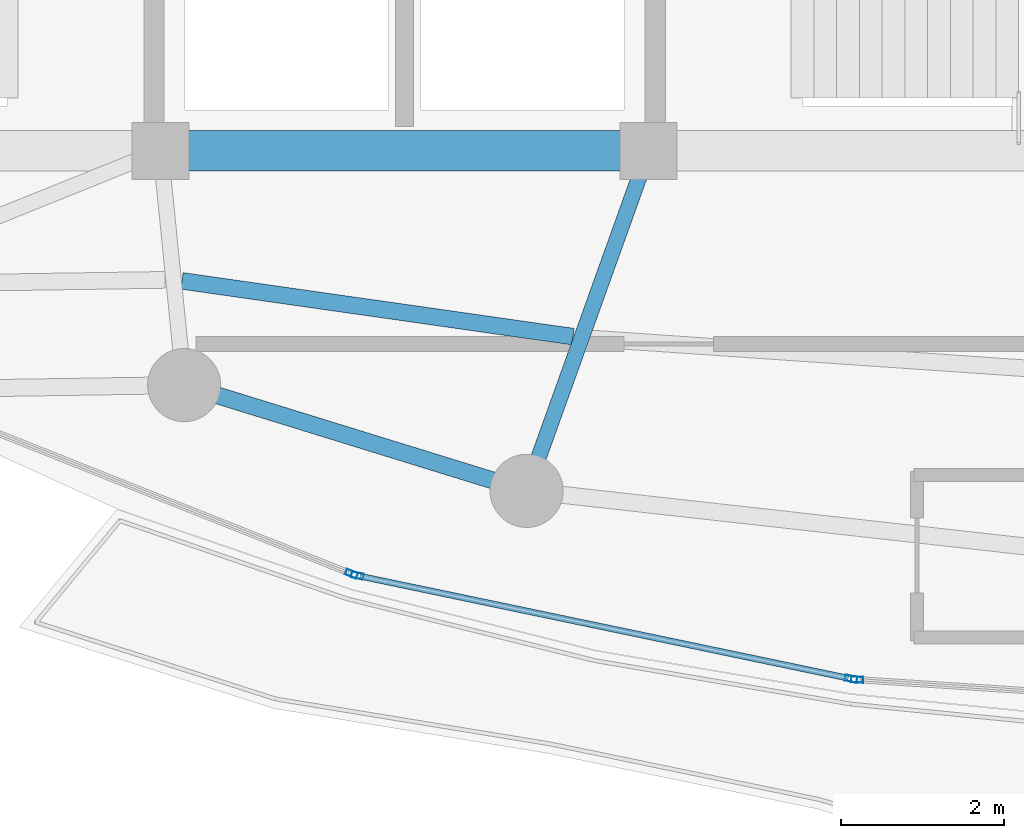
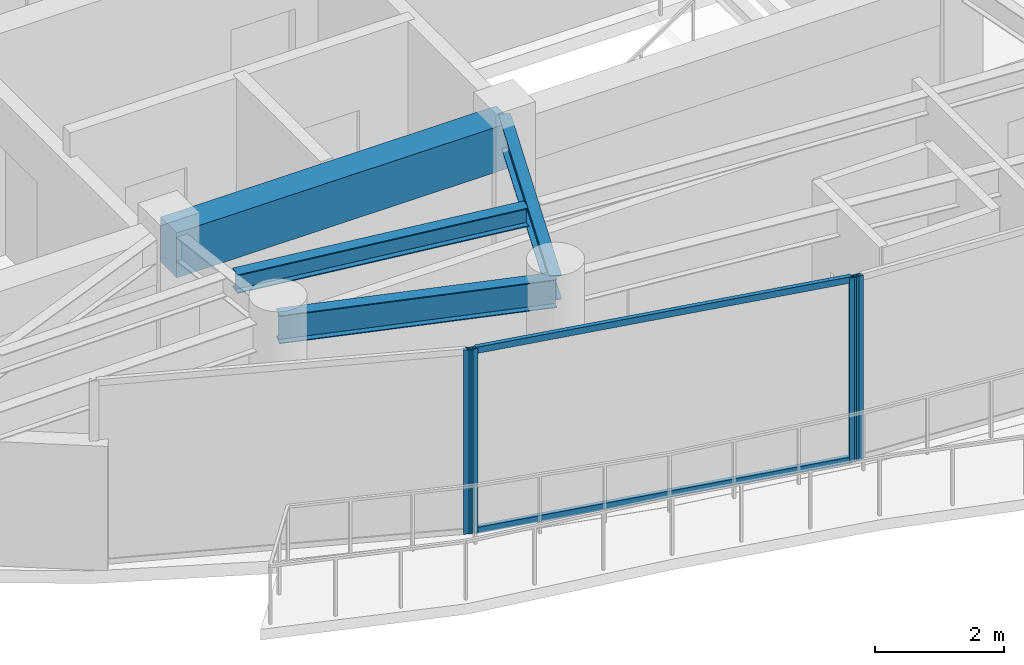
# One storey, part 4 of 22: 6 members, 4 beams, 3 elements without a shape of their own.
"""IFC4 building model written with IfcOpenShell, lengths in metres."""

from ifc_helpers import new_model, si_unit, direction, frame, origin, origin_2d, place, context, subcontext, project, spatial, rectangle, hollow_rectangle, i_section, extrude, material, layer, layer_set, material_profile, profile_set, type_object, element, aggregate, save


model = new_model("IFC4")

# Units and contexts
model_context = context("Model", 3, precision=1e-05, world=origin(), true_north=direction((0.0, 1.0)))
body_context = subcontext(model_context, "Body", "Model", "MODEL_VIEW")
ifc_project = project(units=[si_unit("LENGTHUNIT", "METRE"), si_unit("AREAUNIT", "SQUARE_METRE"), si_unit("VOLUMEUNIT", "CUBIC_METRE"), si_unit("PLANEANGLEUNIT", "RADIAN"), si_unit("MASSUNIT", "GRAM", prefix="KILO")], contexts=[model_context])

# Site, building, storey
site_placement = place(None, origin())
site = spatial("IfcSite", under=ifc_project, at=site_placement, CompositionType="ELEMENT")
building_placement = place(site_placement, origin())
building = spatial("IfcBuilding", under=site, at=building_placement, Name="Kazevale Care Tower and Concert Hall", CompositionType="ELEMENT")
storey_placement = place(building_placement, frame((0.0, 0.0, 277.60009765625)))
storey = spatial("IfcBuildingStorey", under=building, at=storey_placement, Name="L73", CompositionType="ELEMENT", Elevation=277.60009765625)

# Curtain wall, member
ifc_material_1 = material(Name="Aluminium 6063-T6 and Low-E Glass", Category="aluminium")
ifc_layer = layer(ifc_material_1, 0.179931640625)
ifc_layer_set = layer_set([ifc_layer], Name="Aluminium 6063-T6 and Low-E Glass")
curtain_wall_type = type_object("IfcCurtainWallType", Name="Sheltered Concave Balcony Curtain Wall CW-5", PredefinedType="NOTDEFINED", material=ifc_layer_set)
curtain_wall_1_placement = place(storey_placement, origin())
curtain_wall_1 = element("IfcCurtainWall", 1, at=curtain_wall_1_placement, inside=storey, type_object=curtain_wall_type, Name="cw:L73:f02", PredefinedType="NOTDEFINED")
ifc_material_2 = material(Name="Aluminium 6063-T6", Category="aluminium")
ifc_material_profile_1 = material_profile(ifc_material_2, hollow_rectangle(XDim=0.074951171875, YDim=0.14990234375, WallThickness=0.00390625, at=origin_2d()), Name="ALU75x150x4")
ifc_profile_set_1 = profile_set([ifc_material_profile_1], Name="Aluminium 6063-T6")
member_type_1 = type_object("IfcMemberType", Name="CW-5 Mullion ALU75x150x4", PredefinedType="MULLION", material=ifc_profile_set_1)
member_1_placement = place(storey_placement, frame((38.5634765625, 17.099609375, 0.0), z_axis=(0.0, 0.0, 1.0), x_axis=(-0.065045771206, -0.997882281458, 0.0)))
member_1 = element("IfcMember", 2, at=member_1_placement, type_object=member_type_1, Name="CW-5 mullion 2", PredefinedType="MULLION", context=body_context, shape_type="SweptSolid", body=[
    extrude(hollow_rectangle(XDim=0.074951171875, YDim=0.14990234375, WallThickness=0.00390625, at=origin_2d()), origin(), (0.0, 0.0, 1.0), 3.47998046875),
])
aggregate(curtain_wall_1, [member_1])

# Curtain wall, members
curtain_wall_2_placement = place(storey_placement, origin())
curtain_wall_2 = element("IfcCurtainWall", 3, at=curtain_wall_2_placement, inside=storey, type_object=curtain_wall_type, Name="cw:L73:f03", PredefinedType="NOTDEFINED")
member_2_placement = place(storey_placement, frame((38.4892578125, 17.109619140625, 0.0), z_axis=(0.0, 0.0, 1.0), x_axis=(-0.204564979592, -0.978852986472, 0.0)))
member_2 = element("IfcMember", 4, at=member_2_placement, type_object=member_type_1, Name="CW-5 mullion 1", PredefinedType="MULLION", context=body_context, shape_type="SweptSolid", body=[
    extrude(hollow_rectangle(XDim=0.074951171875, YDim=0.14990234375, WallThickness=0.00390625, at=origin_2d()), origin(), (0.0, 0.0, 1.0), 3.47998046875),
])
member_3_placement = place(storey_placement, frame((32.418701171875, 18.37841796875, 0.0), z_axis=(0.0, 0.0, 1.0), x_axis=(-0.204564979592, -0.978852986472, 0.0)))
member_3 = element("IfcMember", 5, at=member_3_placement, type_object=member_type_1, Name="CW-5 mullion 2", PredefinedType="MULLION", context=body_context, shape_type="SweptSolid", body=[
    extrude(hollow_rectangle(XDim=0.074951171875, YDim=0.14990234375, WallThickness=0.00390625, at=origin_2d()), origin(), (0.0, 0.0, 1.0), 3.47998046875),
])

# Curtain wall, member
curtain_wall_3_placement = place(storey_placement, origin())
curtain_wall_3 = element("IfcCurtainWall", 6, at=curtain_wall_3_placement, inside=storey, type_object=curtain_wall_type, Name="cw:L73:f04", PredefinedType="NOTDEFINED")
member_4_placement = place(storey_placement, frame((32.34716796875, 18.39990234375, 0.0), z_axis=(0.0, 0.0, 1.0), x_axis=(-0.369556171894, -0.929208392028, 0.0)))
member_4 = element("IfcMember", 7, at=member_4_placement, type_object=member_type_1, Name="CW-5 mullion 1", PredefinedType="MULLION", context=body_context, shape_type="SweptSolid", body=[
    extrude(hollow_rectangle(XDim=0.074951171875, YDim=0.14990234375, WallThickness=0.00390625, at=origin_2d()), origin(), (0.0, 0.0, 1.0), 3.47998046875),
])
aggregate(curtain_wall_3, [member_4])

# Member
ifc_material_profile_2 = material_profile(ifc_material_2, hollow_rectangle(XDim=0.074951171875, YDim=0.1201171875, WallThickness=0.00390625, at=origin_2d()), Name="ALU75x120x4")
ifc_profile_set_2 = profile_set([ifc_material_profile_2], Name="Aluminium 6063-T6")
member_type_2 = type_object("IfcMemberType", Name="CW-5 Transom ALU75x120x4", PredefinedType="USERDEFINED", material=ifc_profile_set_2)
member_5_placement = place(storey_placement, frame((38.45263671875, 17.117431640625, 0.037353515625), z_axis=(-0.9788585808, 0.20453820864, 0.0), x_axis=(-0.20453820864, -0.9788585808, 0.0)))
member_5 = element("IfcMember", 8, at=member_5_placement, type_object=member_type_2, Name="CW-5 transom 1.1", ObjectType="TRANSOM", PredefinedType="USERDEFINED", context=body_context, shape_type="SweptSolid", body=[
    extrude(hollow_rectangle(XDim=0.074951171875, YDim=0.1201171875, WallThickness=0.00390625, at=origin_2d()), origin(), (0.0, 0.0, 1.0), 6.126953125),
])

member_6_placement = place(storey_placement, frame((38.45263671875, 17.117431640625, 3.4423828125), z_axis=(-0.9788585808, 0.20453820864, 0.0), x_axis=(-0.20453820864, -0.9788585808, 0.0)))
member_6 = element("IfcMember", 9, at=member_6_placement, type_object=member_type_2, Name="CW-5 transom 1.2", ObjectType="TRANSOM", PredefinedType="USERDEFINED", context=body_context, shape_type="SweptSolid", body=[
    extrude(hollow_rectangle(XDim=0.074951171875, YDim=0.1201171875, WallThickness=0.00390625, at=origin_2d()), origin(), (0.0, 0.0, 1.0), 6.126953125),
])

aggregate(curtain_wall_2, [member_2, member_3, member_5, member_6])

# Beams
ifc_material_3 = material(Name="Concrete C60", Category="concrete")
ifc_material_profile_3 = material_profile(ifc_material_3, rectangle(XDim=0.5, YDim=0.85009765625, at=origin_2d()), Name="RC-B500x850")
ifc_profile_set_3 = profile_set([ifc_material_profile_3], Name="Concrete C60")
beam_type_1 = type_object("IfcBeamType", Name="Core Coupling Beam RC500x850", PredefinedType="LINTEL", material=ifc_profile_set_3)
beam_1_placement = place(storey_placement, frame((30.0, 23.60009765625, 3.054931640625), z_axis=(1.0, 0.0, 0.0), x_axis=(0.0, 1.0, 0.0)))
element("IfcBeam", 10, at=beam_1_placement, inside=storey, type_object=beam_type_1, Name="beam:L73:coretie:2", PredefinedType="LINTEL", context=body_context, shape_type="SweptSolid", body=[
    extrude(rectangle(XDim=0.5, YDim=0.85009765625, at=origin_2d()), origin(), (0.0, 0.0, 1.0), 6.0),
])
ifc_material_4 = material(Name="Steel ASTM A572 Gr 50", Category="steel")
ifc_material_profile_4 = material_profile(ifc_material_4, i_section(OverallWidth=0.19091796875, OverallDepth=0.4599609375, WebThickness=0.010009765625, FlangeThickness=0.01611328125, at=origin_2d()), Name="W460x82")
ifc_profile_set_4 = profile_set([ifc_material_profile_4], Name="Steel ASTM A572 Gr 50")
beam_type_2 = type_object("IfcBeamType", Name="Radial Floor Beam W460x82", PredefinedType="BEAM", material=ifc_profile_set_4)
beam_2_placement = place(storey_placement, frame((36.0, 23.60009765625, 3.25), z_axis=(-0.33774987593, -0.941235900988, 0.0), x_axis=(0.941235900988, -0.33774987593, 0.0)))
element("IfcBeam", 11, at=beam_2_placement, inside=storey, type_object=beam_type_2, Name="beam:L73:rad:12", PredefinedType="BEAM", context=body_context, shape_type="SweptSolid", body=[
    extrude(i_section(OverallWidth=0.19091796875, OverallDepth=0.4599609375, WebThickness=0.010009765625, FlangeThickness=0.01611328125, at=origin_2d()), origin(), (0.0, 0.0, 1.0), 4.441162109375),
])
ifc_material_profile_5 = material_profile(ifc_material_4, i_section(OverallWidth=0.205078125, OverallDepth=0.35400390625, WebThickness=0.009521484375, FlangeThickness=0.016845703125, at=origin_2d()), Name="W360x79")
ifc_profile_set_5 = profile_set([ifc_material_profile_5], Name="Steel ASTM A572 Gr 50")
beam_type_3 = type_object("IfcBeamType", Name="Secondary Floor Joist W360x79", PredefinedType="JOIST", material=ifc_profile_set_5)
beam_3_placement = place(storey_placement, frame((30.262939453125, 22.0009765625, 3.302978515625), z_axis=(0.99000170599, -0.141055386768, 0.0), x_axis=(0.141055386768, 0.99000170599, 0.0)))
element("IfcBeam", 12, at=beam_3_placement, inside=storey, type_object=beam_type_3, Name="beam:L73:joist:11", PredefinedType="JOIST", context=body_context, shape_type="SweptSolid", body=[
    extrude(i_section(OverallWidth=0.205078125, OverallDepth=0.35400390625, WebThickness=0.009521484375, FlangeThickness=0.016845703125, at=origin_2d()), origin(), (0.0, 0.0, 1.0), 4.856689453125),
])
ifc_material_profile_6 = material_profile(ifc_material_4, i_section(OverallWidth=0.208984375, OverallDepth=0.532958984375, WebThickness=0.01025390625, FlangeThickness=0.015625, at=origin_2d()), Name="W530x92")
ifc_profile_set_6 = profile_set([ifc_material_profile_6], Name="Steel ASTM A572 Gr 50")
beam_type_4 = type_object("IfcBeamType", Name="Upper Ring Beam W530x92", PredefinedType="BEAM", material=ifc_profile_set_6)
beam_4_placement = place(storey_placement, frame((30.2900390625, 20.719970703125, 3.21337890625), z_axis=(0.955480204609, -0.295055212801, 0.0), x_axis=(0.295055212801, 0.955480204609, 0.0)))
element("IfcBeam", 13, at=beam_4_placement, inside=storey, type_object=beam_type_4, Name="beam:L73:ring:11", PredefinedType="BEAM", context=body_context, shape_type="SweptSolid", body=[
    extrude(i_section(OverallWidth=0.208984375, OverallDepth=0.532958984375, WebThickness=0.01025390625, FlangeThickness=0.015625, at=origin_2d()), origin(), (0.0, 0.0, 1.0), 4.406005859375),
])

save(model, "model.ifc")
